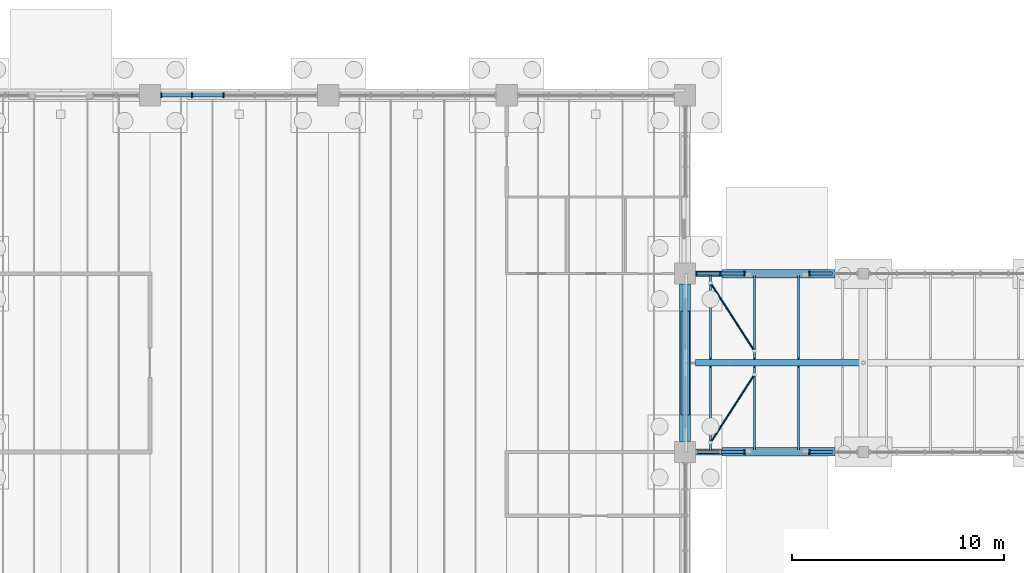
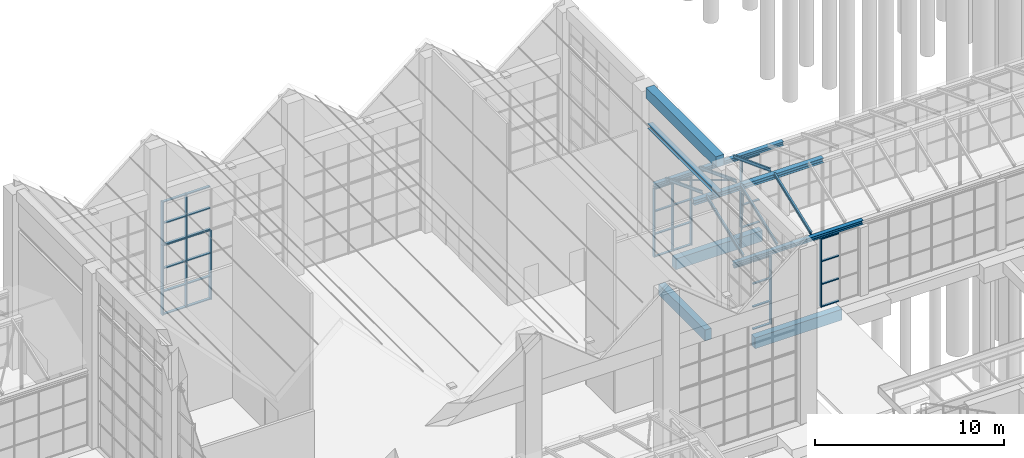
# One storey, part 55 of 138: 48 members, 14 beams, 6 elements without a shape of their own.
"""IFC4 building model written with IfcOpenShell, lengths in metres."""

from ifc_helpers import new_model, si_unit, direction, frame, origin, origin_2d, place, context, subcontext, project, spatial, rectangle, hollow_circle, i_section, extrude, material, material_profile, profile_set, type_object, element, aggregate, save


model = new_model("IFC4")

# Units and contexts
model_context = context("Model", 3, precision=1e-05, world=origin(), true_north=direction((0.0, 1.0)))
body_context = subcontext(model_context, "Body", "Model", "MODEL_VIEW")
ifc_project = project(units=[si_unit("LENGTHUNIT", "METRE"), si_unit("AREAUNIT", "SQUARE_METRE"), si_unit("VOLUMEUNIT", "CUBIC_METRE"), si_unit("PLANEANGLEUNIT", "RADIAN"), si_unit("MASSUNIT", "GRAM", prefix="KILO")], contexts=[model_context])

# Site, building, storey
site_placement = place(None, origin())
site = spatial("IfcSite", under=ifc_project, at=site_placement, CompositionType="ELEMENT")
building_placement = place(site_placement, origin())
building = spatial("IfcBuilding", under=site, at=building_placement, Name="Yavir Park General Hospital", CompositionType="ELEMENT")
storey_placement = place(building_placement, origin())
storey = spatial("IfcBuildingStorey", under=building, at=storey_placement, Name="L00", CompositionType="ELEMENT", Elevation=0.0)

# Members
ifc_material_1 = material(Name="Steel S355", Category="steel")
ifc_material_profile_1 = material_profile(ifc_material_1, hollow_circle(Radius=0.04443359375, WallThickness=0.0048828125, at=origin_2d()), Name="CHS88.9x5")
ifc_profile_set_1 = profile_set([ifc_material_profile_1], Name="Steel S355")
member_type_1 = type_object("IfcMemberType", Name="CHS 88.9x5 roof brace", PredefinedType="BRACE", material=ifc_profile_set_1)
member_1_placement = place(storey_placement, frame((110.39990234375, 50.839111328125, 4.999755859375), z_axis=(0.516017146334, 0.800464760568, 0.304930273635), x_axis=(-0.840493535423, 0.541821572949, 0.0)))
element("IfcMember", 1, at=member_1_placement, inside=storey, type_object=member_type_1, Name="RF:CONC:frame:X:0", PredefinedType="BRACE", context=body_context, shape_type="SweptSolid", body=[
    extrude(hollow_circle(Radius=0.04443359375, WallThickness=0.0048828125, at=origin_2d()), origin(), (0.0, 0.0, 1.0), 4.016845703125),
])
member_2_placement = place(storey_placement, frame((110.39990234375, 58.361083984375, 4.999755859375), z_axis=(0.515992042065, -0.80048659435, 0.304915438756), x_axis=(0.840512269238, 0.541792511262, 0.0)))
element("IfcMember", 2, at=member_2_placement, inside=storey, type_object=member_type_1, Name="RF:CONC:frame:X:2", PredefinedType="BRACE", context=body_context, shape_type="SweptSolid", body=[
    extrude(hollow_circle(Radius=0.04443359375, WallThickness=0.0048828125, at=origin_2d()), origin(), (0.0, 0.0, 1.0), 4.01708984375),
])

# Beams
ifc_material_2 = material(Name="Steel S355", Category="steel")
ifc_material_profile_2 = material_profile(ifc_material_2, i_section(OverallWidth=0.260009765625, OverallDepth=0.25, WebThickness=0.007568359375, FlangeThickness=0.012451171875, FilletRadius=0.02392578125, at=origin_2d()), Name="HEA260")
ifc_profile_set_2 = profile_set([ifc_material_profile_2], Name="Steel S355")
beam_type_1 = type_object("IfcBeamType", Name="HEA 260 eave beam", PredefinedType="BEAM", material=ifc_profile_set_2)
for number, where, z_axis, x_axis, name in (
    (3, (109.699951171875, 50.39990234375, 4.64697265625), (1.0, 0.0, 0.0), (0.0, 1.0, 0.0), "RF:CONC:frame:E:0"),
    (4, (109.699951171875, 58.800048828125, 4.64697265625), (1.0, 0.0, 0.0), (0.0, 1.0, 0.0), "RF:CONC:frame:E:3"),
):
    element("IfcBeam", number, at=place(storey_placement, frame(where, z_axis=z_axis, x_axis=x_axis)), inside=storey, type_object=beam_type_1, Name=name, PredefinedType="BEAM", context=body_context, shape_type="SweptSolid", body=[
        extrude(i_section(OverallWidth=0.260009765625, OverallDepth=0.25, WebThickness=0.007568359375, FlangeThickness=0.012451171875, FilletRadius=0.02392578125, at=origin_2d()), origin(), (0.0, 0.0, 1.0), 7.900146484375),
    ])
ifc_material_3 = material(Name="Steel S355", Category="steel")
ifc_material_profile_3 = material_profile(ifc_material_3, i_section(OverallWidth=0.300048828125, OverallDepth=0.31005859375, WebThickness=0.009033203125, FlangeThickness=0.015380859375, FilletRadius=0.027099609375, at=origin_2d()), Name="HEA320")
ifc_profile_set_3 = profile_set([ifc_material_profile_3], Name="Steel S355")
beam_type_2 = type_object("IfcBeamType", Name="HEA 320 ridge beam", PredefinedType="BEAM", material=ifc_profile_set_3)
beam_1_placement = place(storey_placement, frame((109.699951171875, 54.60009765625, 6.113037109375), z_axis=(1.0, 0.0, 0.0), x_axis=(0.0, 1.0, 0.0)))
element("IfcBeam", 5, at=beam_1_placement, inside=storey, type_object=beam_type_2, Name="RF:CONC:frame:G:0", PredefinedType="BEAM", context=body_context, shape_type="SweptSolid", body=[
    extrude(i_section(OverallWidth=0.300048828125, OverallDepth=0.31005859375, WebThickness=0.009033203125, FlangeThickness=0.015380859375, FilletRadius=0.027099609375, at=origin_2d()), origin(), (0.0, 0.0, 1.0), 7.900146484375),
])
ifc_material_4 = material(Name="Steel S355", Category="steel")
ifc_material_profile_4 = material_profile(ifc_material_4, i_section(OverallWidth=0.300048828125, OverallDepth=0.31005859375, WebThickness=0.009033203125, FlangeThickness=0.015380859375, FilletRadius=0.027099609375, at=origin_2d()), Name="HEA320")
ifc_profile_set_4 = profile_set([ifc_material_profile_4], Name="Steel S355")
beam_type_3 = type_object("IfcBeamType", Name="HEA 320 wind girder", PredefinedType="BEAM", material=ifc_profile_set_4)
beam_2_placement = place(storey_placement, frame((109.199951171875, 50.89990234375, 9.0), z_axis=(0.0, 1.0, 0.0), x_axis=(-1.0, 0.0, 0.0)))
element("IfcBeam", 6, at=beam_2_placement, inside=storey, type_object=beam_type_3, Name="B:HALL:WIND:E1", PredefinedType="BEAM", context=body_context, shape_type="SweptSolid", body=[
    extrude(i_section(OverallWidth=0.300048828125, OverallDepth=0.31005859375, WebThickness=0.009033203125, FlangeThickness=0.015380859375, FilletRadius=0.027099609375, at=origin_2d()), origin(), (0.0, 0.0, 1.0), 7.400146484375),
])
ifc_material_5 = material(Name="Steel S355", Category="steel")
ifc_material_profile_5 = material_profile(ifc_material_5, i_section(OverallWidth=0.10009765625, OverallDepth=0.199951171875, WebThickness=0.005615234375, FlangeThickness=0.008544921875, FilletRadius=0.011962890625, at=origin_2d()), Name="IPE200")
ifc_profile_set_5 = profile_set([ifc_material_profile_5], Name="Steel S355")
beam_type_4 = type_object("IfcBeamType", Name="IPE 200 rafter", PredefinedType="JOIST", material=ifc_profile_set_5)
for number, where, z_axis, x_axis, name in (
    (7, (110.39990234375, 50.489013671875, 4.866455078125), (0.0, 0.934494196525, 0.35597836544), (-1.0, 0.0, 0.0), "RF:CONC:frame:R:0"),
    (8, (110.39990234375, 54.795654296875, 6.35791015625), (0.0, 0.934494196525, -0.35597836544), (-1.0, 0.0, 0.0), "RF:CONC:frame:R:1"),
    (9, (112.47265625, 50.489013671875, 4.866455078125), (0.0, 0.934494196525, 0.35597836544), (-1.0, 0.0, 0.0), "RF:CONC:frame:R:2"),
    (10, (112.47265625, 54.795654296875, 6.35791015625), (0.0, 0.934494196525, -0.35597836544), (-1.0, 0.0, 0.0), "RF:CONC:frame:R:3"),
    (11, (114.54541015625, 50.489013671875, 4.866455078125), (0.0, 0.934494196525, 0.35597836544), (-1.0, 0.0, 0.0), "RF:CONC:frame:R:4"),
    (12, (114.54541015625, 54.795654296875, 6.35791015625), (0.0, 0.934494196525, -0.35597836544), (-1.0, 0.0, 0.0), "RF:CONC:frame:R:5"),
):
    element("IfcBeam", number, at=place(storey_placement, frame(where, z_axis=z_axis, x_axis=x_axis)), inside=storey, type_object=beam_type_4, Name=name, PredefinedType="JOIST", context=body_context, shape_type="SweptSolid", body=[
        extrude(i_section(OverallWidth=0.10009765625, OverallDepth=0.199951171875, WebThickness=0.005615234375, FlangeThickness=0.008544921875, FilletRadius=0.011962890625, at=origin_2d()), origin(), (0.0, 0.0, 1.0), 4.189697265625),
    ])

# Curtain wall, members
ifc_material_6 = material(Name="Aluminium curtain wall frame with insulated glazing", Category="aluminium")
curtain_wall_type_1 = type_object("IfcCurtainWallType", Name="Main hall glazing, lower band, 4500 high, 1400 module", PredefinedType="NOTDEFINED", material=ifc_material_6)
curtain_wall_1_placement = place(storey_placement, origin())
curtain_wall_1 = element("IfcCurtainWall", 13, at=curtain_wall_1_placement, inside=storey, type_object=curtain_wall_type_1, Name="CW33 L00-027", PredefinedType="NOTDEFINED")
ifc_material_7 = material(Name="Aluminium", Category="aluminium")
ifc_material_profile_6 = material_profile(ifc_material_7, rectangle(XDim=0.239990234375, YDim=0.06005859375, at=origin_2d()), Name="AL 60x240")
ifc_profile_set_6 = profile_set([ifc_material_profile_6], Name="Aluminium")
member_type_2 = type_object("IfcMemberType", Name="Main hall glazing, lower band, 4500 high mullion 60 x 240", PredefinedType="MULLION", material=ifc_profile_set_6)
member_3_placement = place(storey_placement, frame((84.530029296875, 67.199951171875, 0.0), z_axis=(0.0, 0.0, 1.0), x_axis=(0.0, 1.0, 0.0)))
member_3 = element("IfcMember", 14, at=member_3_placement, type_object=member_type_2, Name="CW33 mullion 1", PredefinedType="MULLION", context=body_context, shape_type="SweptSolid", body=[
    extrude(rectangle(XDim=0.239990234375, YDim=0.06005859375, at=origin_2d()), origin(), (0.0, 0.0, 1.0), 4.5),
])
member_4_placement = place(storey_placement, frame((85.97998046875, 67.199951171875, 0.0), z_axis=(0.0, 0.0, 1.0), x_axis=(0.0, 1.0, 0.0)))
member_4 = element("IfcMember", 15, at=member_4_placement, type_object=member_type_2, Name="CW33 mullion 2", PredefinedType="MULLION", context=body_context, shape_type="SweptSolid", body=[
    extrude(rectangle(XDim=0.239990234375, YDim=0.06005859375, at=origin_2d()), origin(), (0.0, 0.0, 1.0), 4.5),
])
member_5_placement = place(storey_placement, frame((87.4599609375, 67.199951171875, 0.0), z_axis=(0.0, 0.0, 1.0), x_axis=(0.0, 1.0, 0.0)))
member_5 = element("IfcMember", 16, at=member_5_placement, type_object=member_type_2, Name="CW33 mullion 3", PredefinedType="MULLION", context=body_context, shape_type="SweptSolid", body=[
    extrude(rectangle(XDim=0.239990234375, YDim=0.06005859375, at=origin_2d()), origin(), (0.0, 0.0, 1.0), 4.5),
])
ifc_material_8 = material(Name="Aluminium", Category="aluminium")
ifc_material_profile_7 = material_profile(ifc_material_8, rectangle(XDim=0.159912109375, YDim=0.06005859375, at=origin_2d()), Name="AL 160x60")
ifc_profile_set_7 = profile_set([ifc_material_profile_7], Name="Aluminium")
member_type_3 = type_object("IfcMemberType", Name="Main hall glazing, lower band, 4500 high transom 60 x 160", PredefinedType="MULLION", material=ifc_profile_set_7)
member_6_placement = place(storey_placement, frame((84.56005859375, 67.199951171875, 0.030029296875), z_axis=(1.0, 0.0, 0.0), x_axis=(0.0, 1.0, 0.0)))
member_6 = element("IfcMember", 17, at=member_6_placement, type_object=member_type_3, Name="CW33 transom 1.1", PredefinedType="MULLION", context=body_context, shape_type="SweptSolid", body=[
    extrude(rectangle(XDim=0.159912109375, YDim=0.06005859375, at=origin_2d()), origin(), (0.0, 0.0, 1.0), 1.389892578125),
])
member_7_placement = place(storey_placement, frame((84.56005859375, 67.199951171875, 1.5), z_axis=(1.0, 0.0, 0.0), x_axis=(0.0, 1.0, 0.0)))
member_7 = element("IfcMember", 18, at=member_7_placement, type_object=member_type_3, Name="CW33 transom 1.2", PredefinedType="MULLION", context=body_context, shape_type="SweptSolid", body=[
    extrude(rectangle(XDim=0.159912109375, YDim=0.06005859375, at=origin_2d()), origin(), (0.0, 0.0, 1.0), 1.389892578125),
])
member_8_placement = place(storey_placement, frame((84.56005859375, 67.199951171875, 3.0), z_axis=(1.0, 0.0, 0.0), x_axis=(0.0, 1.0, 0.0)))
member_8 = element("IfcMember", 19, at=member_8_placement, type_object=member_type_3, Name="CW33 transom 1.3", PredefinedType="MULLION", context=body_context, shape_type="SweptSolid", body=[
    extrude(rectangle(XDim=0.159912109375, YDim=0.06005859375, at=origin_2d()), origin(), (0.0, 0.0, 1.0), 1.389892578125),
])
member_9_placement = place(storey_placement, frame((84.56005859375, 67.199951171875, 4.469970703125), z_axis=(1.0, 0.0, 0.0), x_axis=(0.0, 1.0, 0.0)))
member_9 = element("IfcMember", 20, at=member_9_placement, type_object=member_type_3, Name="CW33 transom 1.4", PredefinedType="MULLION", context=body_context, shape_type="SweptSolid", body=[
    extrude(rectangle(XDim=0.159912109375, YDim=0.06005859375, at=origin_2d()), origin(), (0.0, 0.0, 1.0), 1.389892578125),
])
member_10_placement = place(storey_placement, frame((86.010009765625, 67.199951171875, 0.030029296875), z_axis=(1.0, 0.0, 0.0), x_axis=(0.0, 1.0, 0.0)))
member_10 = element("IfcMember", 21, at=member_10_placement, type_object=member_type_3, Name="CW33 transom 2.1", PredefinedType="MULLION", context=body_context, shape_type="SweptSolid", body=[
    extrude(rectangle(XDim=0.159912109375, YDim=0.06005859375, at=origin_2d()), origin(), (0.0, 0.0, 1.0), 1.419921875),
])
member_11_placement = place(storey_placement, frame((86.010009765625, 67.199951171875, 1.5), z_axis=(1.0, 0.0, 0.0), x_axis=(0.0, 1.0, 0.0)))
member_11 = element("IfcMember", 22, at=member_11_placement, type_object=member_type_3, Name="CW33 transom 2.2", PredefinedType="MULLION", context=body_context, shape_type="SweptSolid", body=[
    extrude(rectangle(XDim=0.159912109375, YDim=0.06005859375, at=origin_2d()), origin(), (0.0, 0.0, 1.0), 1.419921875),
])
member_12_placement = place(storey_placement, frame((86.010009765625, 67.199951171875, 3.0), z_axis=(1.0, 0.0, 0.0), x_axis=(0.0, 1.0, 0.0)))
member_12 = element("IfcMember", 23, at=member_12_placement, type_object=member_type_3, Name="CW33 transom 2.3", PredefinedType="MULLION", context=body_context, shape_type="SweptSolid", body=[
    extrude(rectangle(XDim=0.159912109375, YDim=0.06005859375, at=origin_2d()), origin(), (0.0, 0.0, 1.0), 1.419921875),
])
member_13_placement = place(storey_placement, frame((86.010009765625, 67.199951171875, 4.469970703125), z_axis=(1.0, 0.0, 0.0), x_axis=(0.0, 1.0, 0.0)))
member_13 = element("IfcMember", 24, at=member_13_placement, type_object=member_type_3, Name="CW33 transom 2.4", PredefinedType="MULLION", context=body_context, shape_type="SweptSolid", body=[
    extrude(rectangle(XDim=0.159912109375, YDim=0.06005859375, at=origin_2d()), origin(), (0.0, 0.0, 1.0), 1.419921875),
])
aggregate(curtain_wall_1, [member_3, member_4, member_5, member_6, member_7, member_8, member_9, member_10, member_11, member_12, member_13])

ifc_material_9 = material(Name="Aluminium curtain wall frame with insulated glazing", Category="aluminium")
curtain_wall_type_2 = type_object("IfcCurtainWallType", Name="Main hall glazing, upper band, 2817 high, 1400 module", PredefinedType="NOTDEFINED", material=ifc_material_9)
curtain_wall_2_placement = place(storey_placement, origin())
curtain_wall_2 = element("IfcCurtainWall", 25, at=curtain_wall_2_placement, inside=storey, type_object=curtain_wall_type_2, Name="CW34 L00-028", PredefinedType="NOTDEFINED")
ifc_material_10 = material(Name="Aluminium", Category="aluminium")
ifc_material_profile_8 = material_profile(ifc_material_10, rectangle(XDim=0.239990234375, YDim=0.06005859375, at=origin_2d()), Name="AL 60x240")
ifc_profile_set_8 = profile_set([ifc_material_profile_8], Name="Aluminium")
member_type_4 = type_object("IfcMemberType", Name="Main hall glazing, upper band, 2817 high mullion 60 x 240", PredefinedType="MULLION", material=ifc_profile_set_8)
member_14_placement = place(storey_placement, frame((84.530029296875, 67.199951171875, 4.5), z_axis=(0.0, 0.0, 1.0), x_axis=(0.0, 1.0, 0.0)))
member_14 = element("IfcMember", 26, at=member_14_placement, type_object=member_type_4, Name="CW34 mullion 1", PredefinedType="MULLION", context=body_context, shape_type="SweptSolid", body=[
    extrude(rectangle(XDim=0.239990234375, YDim=0.06005859375, at=origin_2d()), origin(), (0.0, 0.0, 1.0), 2.81689453125),
])
member_15_placement = place(storey_placement, frame((85.97998046875, 67.199951171875, 4.5), z_axis=(0.0, 0.0, 1.0), x_axis=(0.0, 1.0, 0.0)))
member_15 = element("IfcMember", 27, at=member_15_placement, type_object=member_type_4, Name="CW34 mullion 2", PredefinedType="MULLION", context=body_context, shape_type="SweptSolid", body=[
    extrude(rectangle(XDim=0.239990234375, YDim=0.06005859375, at=origin_2d()), origin(), (0.0, 0.0, 1.0), 2.81689453125),
])
ifc_material_11 = material(Name="Aluminium", Category="aluminium")
ifc_material_profile_9 = material_profile(ifc_material_11, rectangle(XDim=0.159912109375, YDim=0.06005859375, at=origin_2d()), Name="AL 160x60")
ifc_profile_set_9 = profile_set([ifc_material_profile_9], Name="Aluminium")
member_type_5 = type_object("IfcMemberType", Name="Main hall glazing, upper band, 2817 high transom 60 x 160", PredefinedType="MULLION", material=ifc_profile_set_9)
member_16_placement = place(storey_placement, frame((84.56005859375, 67.199951171875, 4.530029296875), z_axis=(1.0, 0.0, 0.0), x_axis=(0.0, 1.0, 0.0)))
member_16 = element("IfcMember", 28, at=member_16_placement, type_object=member_type_5, Name="CW34 transom 1.1", PredefinedType="MULLION", context=body_context, shape_type="SweptSolid", body=[
    extrude(rectangle(XDim=0.159912109375, YDim=0.06005859375, at=origin_2d()), origin(), (0.0, 0.0, 1.0), 1.389892578125),
])
member_17_placement = place(storey_placement, frame((84.56005859375, 67.199951171875, 5.908447265625), z_axis=(1.0, 0.0, 0.0), x_axis=(0.0, 1.0, 0.0)))
member_17 = element("IfcMember", 29, at=member_17_placement, type_object=member_type_5, Name="CW34 transom 1.2", PredefinedType="MULLION", context=body_context, shape_type="SweptSolid", body=[
    extrude(rectangle(XDim=0.159912109375, YDim=0.06005859375, at=origin_2d()), origin(), (0.0, 0.0, 1.0), 1.389892578125),
])
member_18_placement = place(storey_placement, frame((84.56005859375, 67.199951171875, 7.287109375), z_axis=(1.0, 0.0, 0.0), x_axis=(0.0, 1.0, 0.0)))
member_18 = element("IfcMember", 30, at=member_18_placement, type_object=member_type_5, Name="CW34 transom 1.3", PredefinedType="MULLION", context=body_context, shape_type="SweptSolid", body=[
    extrude(rectangle(XDim=0.159912109375, YDim=0.06005859375, at=origin_2d()), origin(), (0.0, 0.0, 1.0), 1.389892578125),
])
member_19_placement = place(storey_placement, frame((86.010009765625, 67.199951171875, 4.530029296875), z_axis=(1.0, 0.0, 0.0), x_axis=(0.0, 1.0, 0.0)))
member_19 = element("IfcMember", 31, at=member_19_placement, type_object=member_type_5, Name="CW34 transom 2.1", PredefinedType="MULLION", context=body_context, shape_type="SweptSolid", body=[
    extrude(rectangle(XDim=0.159912109375, YDim=0.06005859375, at=origin_2d()), origin(), (0.0, 0.0, 1.0), 1.419921875),
])
member_20_placement = place(storey_placement, frame((86.010009765625, 67.199951171875, 5.908447265625), z_axis=(1.0, 0.0, 0.0), x_axis=(0.0, 1.0, 0.0)))
member_20 = element("IfcMember", 32, at=member_20_placement, type_object=member_type_5, Name="CW34 transom 2.2", PredefinedType="MULLION", context=body_context, shape_type="SweptSolid", body=[
    extrude(rectangle(XDim=0.159912109375, YDim=0.06005859375, at=origin_2d()), origin(), (0.0, 0.0, 1.0), 1.419921875),
])
member_21_placement = place(storey_placement, frame((86.010009765625, 67.199951171875, 7.287109375), z_axis=(1.0, 0.0, 0.0), x_axis=(0.0, 1.0, 0.0)))
member_21 = element("IfcMember", 33, at=member_21_placement, type_object=member_type_5, Name="CW34 transom 2.3", PredefinedType="MULLION", context=body_context, shape_type="SweptSolid", body=[
    extrude(rectangle(XDim=0.159912109375, YDim=0.06005859375, at=origin_2d()), origin(), (0.0, 0.0, 1.0), 1.419921875),
])
aggregate(curtain_wall_2, [member_14, member_15, member_16, member_17, member_18, member_19, member_20, member_21])

# Beams
ifc_material_12 = material(Name="Concrete C35/45", Category="concrete")
ifc_material_profile_10 = material_profile(ifc_material_12, rectangle(XDim=0.39990234375, YDim=0.699951171875, at=origin_2d()), Name="RC400x700")
ifc_profile_set_10 = profile_set([ifc_material_profile_10], Name="Concrete C35/45")
beam_type_5 = type_object("IfcBeamType", Name="RC BEAM 400x700 ground beam", PredefinedType="BEAM", material=ifc_profile_set_10)
for number, where, z_axis, x_axis, name in (
    (34, (110.949951171875, 50.39990234375, -0.800048828125), (1.0, 0.0, 0.0), (0.0, 1.0, 0.0), "B:GND:L00:14G:L00:15G"),
    (35, (110.949951171875, 58.800048828125, -0.800048828125), (1.0, 0.0, 0.0), (0.0, 1.0, 0.0), "B:GND:L00:14H:L00:15H"),
):
    element("IfcBeam", number, at=place(storey_placement, frame(where, z_axis=z_axis, x_axis=x_axis)), inside=storey, type_object=beam_type_5, Name=name, PredefinedType="BEAM", context=body_context, shape_type="SweptSolid", body=[
        extrude(rectangle(XDim=0.39990234375, YDim=0.699951171875, at=origin_2d()), origin(), (0.0, 0.0, 1.0), 5.300048828125),
    ])
beam_3_placement = place(storey_placement, frame((109.199951171875, 52.14990234375, -0.800048828125), z_axis=(0.0, 1.0, 0.0), x_axis=(-1.0, 0.0, 0.0)))
element("IfcBeam", 36, at=beam_3_placement, inside=storey, type_object=beam_type_5, Name="B:GND:L00:14G:L00:14H", PredefinedType="BEAM", context=body_context, shape_type="SweptSolid", body=[
    extrude(rectangle(XDim=0.39990234375, YDim=0.699951171875, at=origin_2d()), origin(), (0.0, 0.0, 1.0), 4.900146484375),
])
ifc_material_13 = material(Name="Concrete C35/45", Category="concrete")
ifc_material_profile_11 = material_profile(ifc_material_13, rectangle(XDim=0.5, YDim=0.699951171875, at=origin_2d()), Name="RC500x700")
ifc_profile_set_11 = profile_set([ifc_material_profile_11], Name="Concrete C35/45")
beam_type_6 = type_object("IfcBeamType", Name="RC BEAM 500x700 hall edge girder", PredefinedType="BEAM", material=ifc_profile_set_11)
beam_4_placement = place(storey_placement, frame((109.199951171875, 50.89990234375, 11.1650390625), z_axis=(0.0, 1.0, 0.0), x_axis=(-1.0, 0.0, 0.0)))
element("IfcBeam", 37, at=beam_4_placement, inside=storey, type_object=beam_type_6, Name="B:HALL:EDGE:E1", PredefinedType="BEAM", context=body_context, shape_type="SweptSolid", body=[
    extrude(rectangle(XDim=0.5, YDim=0.699951171875, at=origin_2d()), origin(), (0.0, 0.0, 1.0), 7.400146484375),
])

# Curtain wall, member
ifc_material_14 = material(Name="Aluminium curtain wall frame with insulated glazing", Category="aluminium")
curtain_wall_type_3 = type_object("IfcCurtainWallType", Name="Winter-garden concourse glazing, 4425 high, 1400 module", PredefinedType="NOTDEFINED", material=ifc_material_14)
curtain_wall_3_placement = place(storey_placement, origin())
curtain_wall_3 = element("IfcCurtainWall", 38, at=curtain_wall_3_placement, inside=storey, type_object=curtain_wall_type_3, Name="CW37 L00-013", PredefinedType="NOTDEFINED")
ifc_material_15 = material(Name="Aluminium", Category="aluminium")
ifc_material_profile_12 = material_profile(ifc_material_15, rectangle(XDim=0.199951171875, YDim=0.06005859375, at=origin_2d()), Name="AL 60x200")
ifc_profile_set_12 = profile_set([ifc_material_profile_12], Name="Aluminium")
member_type_6 = type_object("IfcMemberType", Name="Winter-garden concourse glazing, 4425 high mullion 60 x 200", PredefinedType="MULLION", material=ifc_profile_set_12)
member_22_placement = place(storey_placement, frame((111.9951171875, 50.39990234375, 0.0), z_axis=(0.0, 0.0, 1.0), x_axis=(0.0, 1.0, 0.0)))
member_22 = element("IfcMember", 39, at=member_22_placement, type_object=member_type_6, Name="CW37 mullion 3", PredefinedType="MULLION", context=body_context, shape_type="SweptSolid", body=[
    extrude(rectangle(XDim=0.199951171875, YDim=0.06005859375, at=origin_2d()), origin(), (0.0, 0.0, 1.0), 4.425048828125),
])

curtain_wall_4_placement = place(storey_placement, origin())
curtain_wall_4 = element("IfcCurtainWall", 40, at=curtain_wall_4_placement, inside=storey, type_object=curtain_wall_type_3, Name="CW37 L00-014", PredefinedType="NOTDEFINED")
member_23_placement = place(storey_placement, frame((115.054931640625, 50.39990234375, 0.0), z_axis=(0.0, 0.0, 1.0), x_axis=(0.0, 1.0, 0.0)))
member_23 = element("IfcMember", 41, at=member_23_placement, type_object=member_type_6, Name="CW37 mullion 1", PredefinedType="MULLION", context=body_context, shape_type="SweptSolid", body=[
    extrude(rectangle(XDim=0.199951171875, YDim=0.06005859375, at=origin_2d()), origin(), (0.0, 0.0, 1.0), 4.425048828125),
])

# Curtain wall, members
curtain_wall_5_placement = place(storey_placement, origin())
curtain_wall_5 = element("IfcCurtainWall", 42, at=curtain_wall_5_placement, inside=storey, type_object=curtain_wall_type_3, Name="CW37 L00-018", PredefinedType="NOTDEFINED")
member_24_placement = place(storey_placement, frame((109.72998046875, 58.800048828125, 0.0), z_axis=(0.0, 0.0, 1.0), x_axis=(0.0, 1.0, 0.0)))
member_24 = element("IfcMember", 43, at=member_24_placement, type_object=member_type_6, Name="CW37 mullion 1", PredefinedType="MULLION", context=body_context, shape_type="SweptSolid", body=[
    extrude(rectangle(XDim=0.199951171875, YDim=0.06005859375, at=origin_2d()), origin(), (0.0, 0.0, 1.0), 4.425048828125),
])
member_25_placement = place(storey_placement, frame((110.862548828125, 58.800048828125, 0.0), z_axis=(0.0, 0.0, 1.0), x_axis=(0.0, 1.0, 0.0)))
member_25 = element("IfcMember", 44, at=member_25_placement, type_object=member_type_6, Name="CW37 mullion 2", PredefinedType="MULLION", context=body_context, shape_type="SweptSolid", body=[
    extrude(rectangle(XDim=0.199951171875, YDim=0.06005859375, at=origin_2d()), origin(), (0.0, 0.0, 1.0), 4.425048828125),
])
member_26_placement = place(storey_placement, frame((111.9951171875, 58.800048828125, 0.0), z_axis=(0.0, 0.0, 1.0), x_axis=(0.0, 1.0, 0.0)))
member_26 = element("IfcMember", 45, at=member_26_placement, type_object=member_type_6, Name="CW37 mullion 3", PredefinedType="MULLION", context=body_context, shape_type="SweptSolid", body=[
    extrude(rectangle(XDim=0.199951171875, YDim=0.06005859375, at=origin_2d()), origin(), (0.0, 0.0, 1.0), 4.425048828125),
])

# Curtain wall, member
curtain_wall_6_placement = place(storey_placement, origin())
curtain_wall_6 = element("IfcCurtainWall", 46, at=curtain_wall_6_placement, inside=storey, type_object=curtain_wall_type_3, Name="CW37 L00-019", PredefinedType="NOTDEFINED")
member_27_placement = place(storey_placement, frame((115.054931640625, 58.800048828125, 0.0), z_axis=(0.0, 0.0, 1.0), x_axis=(0.0, 1.0, 0.0)))
member_27 = element("IfcMember", 47, at=member_27_placement, type_object=member_type_6, Name="CW37 mullion 1", PredefinedType="MULLION", context=body_context, shape_type="SweptSolid", body=[
    extrude(rectangle(XDim=0.199951171875, YDim=0.06005859375, at=origin_2d()), origin(), (0.0, 0.0, 1.0), 4.425048828125),
])

# Member
ifc_material_16 = material(Name="Aluminium", Category="aluminium")
ifc_material_profile_13 = material_profile(ifc_material_16, rectangle(XDim=0.139892578125, YDim=0.06005859375, at=origin_2d()), Name="AL 140x60")
ifc_profile_set_13 = profile_set([ifc_material_profile_13], Name="Aluminium")
member_type_7 = type_object("IfcMemberType", Name="Winter-garden concourse glazing, 4425 high transom 60 x 140", PredefinedType="MULLION", material=ifc_profile_set_13)
member_28_placement = place(storey_placement, frame((109.760009765625, 50.39990234375, 4.39501953125), z_axis=(1.0, 0.0, 0.0), x_axis=(0.0, 1.0, 0.0)))
member_28 = element("IfcMember", 48, at=member_28_placement, type_object=member_type_7, Name="CW37 transom 1.4", PredefinedType="MULLION", context=body_context, shape_type="SweptSolid", body=[
    extrude(rectangle(XDim=0.139892578125, YDim=0.06005859375, at=origin_2d()), origin(), (0.0, 0.0, 1.0), 1.072509765625),
])

member_29_placement = place(storey_placement, frame((110.892578125, 50.39990234375, 0.030029296875), z_axis=(1.0, 0.0, 0.0), x_axis=(0.0, 1.0, 0.0)))
member_29 = element("IfcMember", 49, at=member_29_placement, type_object=member_type_7, Name="CW37 transom 2.1", PredefinedType="MULLION", context=body_context, shape_type="SweptSolid", body=[
    extrude(rectangle(XDim=0.139892578125, YDim=0.06005859375, at=origin_2d()), origin(), (0.0, 0.0, 1.0), 1.072509765625),
])

member_30_placement = place(storey_placement, frame((110.892578125, 50.39990234375, 1.47509765625), z_axis=(1.0, 0.0, 0.0), x_axis=(0.0, 1.0, 0.0)))
member_30 = element("IfcMember", 50, at=member_30_placement, type_object=member_type_7, Name="CW37 transom 2.2", PredefinedType="MULLION", context=body_context, shape_type="SweptSolid", body=[
    extrude(rectangle(XDim=0.139892578125, YDim=0.06005859375, at=origin_2d()), origin(), (0.0, 0.0, 1.0), 1.072509765625),
])

member_31_placement = place(storey_placement, frame((110.892578125, 50.39990234375, 2.949951171875), z_axis=(1.0, 0.0, 0.0), x_axis=(0.0, 1.0, 0.0)))
member_31 = element("IfcMember", 51, at=member_31_placement, type_object=member_type_7, Name="CW37 transom 2.3", PredefinedType="MULLION", context=body_context, shape_type="SweptSolid", body=[
    extrude(rectangle(XDim=0.139892578125, YDim=0.06005859375, at=origin_2d()), origin(), (0.0, 0.0, 1.0), 1.072509765625),
])

member_32_placement = place(storey_placement, frame((110.892578125, 50.39990234375, 4.39501953125), z_axis=(1.0, 0.0, 0.0), x_axis=(0.0, 1.0, 0.0)))
member_32 = element("IfcMember", 52, at=member_32_placement, type_object=member_type_7, Name="CW37 transom 2.4", PredefinedType="MULLION", context=body_context, shape_type="SweptSolid", body=[
    extrude(rectangle(XDim=0.139892578125, YDim=0.06005859375, at=origin_2d()), origin(), (0.0, 0.0, 1.0), 1.072509765625),
])

aggregate(curtain_wall_3, [member_22, member_28, member_29, member_30, member_31, member_32])

member_33_placement = place(storey_placement, frame((115.0849609375, 50.39990234375, 0.030029296875), z_axis=(1.0, 0.0, 0.0), x_axis=(0.0, 1.0, 0.0)))
member_33 = element("IfcMember", 53, at=member_33_placement, type_object=member_type_7, Name="CW37 transom 1.1", PredefinedType="MULLION", context=body_context, shape_type="SweptSolid", body=[
    extrude(rectangle(XDim=0.139892578125, YDim=0.06005859375, at=origin_2d()), origin(), (0.0, 0.0, 1.0), 1.072509765625),
])

member_34_placement = place(storey_placement, frame((115.0849609375, 50.39990234375, 1.47509765625), z_axis=(1.0, 0.0, 0.0), x_axis=(0.0, 1.0, 0.0)))
member_34 = element("IfcMember", 54, at=member_34_placement, type_object=member_type_7, Name="CW37 transom 1.2", PredefinedType="MULLION", context=body_context, shape_type="SweptSolid", body=[
    extrude(rectangle(XDim=0.139892578125, YDim=0.06005859375, at=origin_2d()), origin(), (0.0, 0.0, 1.0), 1.072509765625),
])

member_35_placement = place(storey_placement, frame((115.0849609375, 50.39990234375, 2.949951171875), z_axis=(1.0, 0.0, 0.0), x_axis=(0.0, 1.0, 0.0)))
member_35 = element("IfcMember", 55, at=member_35_placement, type_object=member_type_7, Name="CW37 transom 1.3", PredefinedType="MULLION", context=body_context, shape_type="SweptSolid", body=[
    extrude(rectangle(XDim=0.139892578125, YDim=0.06005859375, at=origin_2d()), origin(), (0.0, 0.0, 1.0), 1.072509765625),
])

member_36_placement = place(storey_placement, frame((115.0849609375, 50.39990234375, 4.39501953125), z_axis=(1.0, 0.0, 0.0), x_axis=(0.0, 1.0, 0.0)))
member_36 = element("IfcMember", 56, at=member_36_placement, type_object=member_type_7, Name="CW37 transom 1.4", PredefinedType="MULLION", context=body_context, shape_type="SweptSolid", body=[
    extrude(rectangle(XDim=0.139892578125, YDim=0.06005859375, at=origin_2d()), origin(), (0.0, 0.0, 1.0), 1.072509765625),
])

aggregate(curtain_wall_4, [member_23, member_33, member_34, member_35, member_36])

member_37_placement = place(storey_placement, frame((109.760009765625, 58.800048828125, 0.030029296875), z_axis=(1.0, 0.0, 0.0), x_axis=(0.0, 1.0, 0.0)))
member_37 = element("IfcMember", 57, at=member_37_placement, type_object=member_type_7, Name="CW37 transom 1.1", PredefinedType="MULLION", context=body_context, shape_type="SweptSolid", body=[
    extrude(rectangle(XDim=0.139892578125, YDim=0.06005859375, at=origin_2d()), origin(), (0.0, 0.0, 1.0), 1.072509765625),
])

member_38_placement = place(storey_placement, frame((109.760009765625, 58.800048828125, 1.47509765625), z_axis=(1.0, 0.0, 0.0), x_axis=(0.0, 1.0, 0.0)))
member_38 = element("IfcMember", 58, at=member_38_placement, type_object=member_type_7, Name="CW37 transom 1.2", PredefinedType="MULLION", context=body_context, shape_type="SweptSolid", body=[
    extrude(rectangle(XDim=0.139892578125, YDim=0.06005859375, at=origin_2d()), origin(), (0.0, 0.0, 1.0), 1.072509765625),
])

member_39_placement = place(storey_placement, frame((109.760009765625, 58.800048828125, 2.949951171875), z_axis=(1.0, 0.0, 0.0), x_axis=(0.0, 1.0, 0.0)))
member_39 = element("IfcMember", 59, at=member_39_placement, type_object=member_type_7, Name="CW37 transom 1.3", PredefinedType="MULLION", context=body_context, shape_type="SweptSolid", body=[
    extrude(rectangle(XDim=0.139892578125, YDim=0.06005859375, at=origin_2d()), origin(), (0.0, 0.0, 1.0), 1.072509765625),
])

member_40_placement = place(storey_placement, frame((109.760009765625, 58.800048828125, 4.39501953125), z_axis=(1.0, 0.0, 0.0), x_axis=(0.0, 1.0, 0.0)))
member_40 = element("IfcMember", 60, at=member_40_placement, type_object=member_type_7, Name="CW37 transom 1.4", PredefinedType="MULLION", context=body_context, shape_type="SweptSolid", body=[
    extrude(rectangle(XDim=0.139892578125, YDim=0.06005859375, at=origin_2d()), origin(), (0.0, 0.0, 1.0), 1.072509765625),
])

member_41_placement = place(storey_placement, frame((110.892578125, 58.800048828125, 0.030029296875), z_axis=(1.0, 0.0, 0.0), x_axis=(0.0, 1.0, 0.0)))
member_41 = element("IfcMember", 61, at=member_41_placement, type_object=member_type_7, Name="CW37 transom 2.1", PredefinedType="MULLION", context=body_context, shape_type="SweptSolid", body=[
    extrude(rectangle(XDim=0.139892578125, YDim=0.06005859375, at=origin_2d()), origin(), (0.0, 0.0, 1.0), 1.072509765625),
])

member_42_placement = place(storey_placement, frame((110.892578125, 58.800048828125, 1.47509765625), z_axis=(1.0, 0.0, 0.0), x_axis=(0.0, 1.0, 0.0)))
member_42 = element("IfcMember", 62, at=member_42_placement, type_object=member_type_7, Name="CW37 transom 2.2", PredefinedType="MULLION", context=body_context, shape_type="SweptSolid", body=[
    extrude(rectangle(XDim=0.139892578125, YDim=0.06005859375, at=origin_2d()), origin(), (0.0, 0.0, 1.0), 1.072509765625),
])

member_43_placement = place(storey_placement, frame((110.892578125, 58.800048828125, 2.949951171875), z_axis=(1.0, 0.0, 0.0), x_axis=(0.0, 1.0, 0.0)))
member_43 = element("IfcMember", 63, at=member_43_placement, type_object=member_type_7, Name="CW37 transom 2.3", PredefinedType="MULLION", context=body_context, shape_type="SweptSolid", body=[
    extrude(rectangle(XDim=0.139892578125, YDim=0.06005859375, at=origin_2d()), origin(), (0.0, 0.0, 1.0), 1.072509765625),
])

member_44_placement = place(storey_placement, frame((110.892578125, 58.800048828125, 4.39501953125), z_axis=(1.0, 0.0, 0.0), x_axis=(0.0, 1.0, 0.0)))
member_44 = element("IfcMember", 64, at=member_44_placement, type_object=member_type_7, Name="CW37 transom 2.4", PredefinedType="MULLION", context=body_context, shape_type="SweptSolid", body=[
    extrude(rectangle(XDim=0.139892578125, YDim=0.06005859375, at=origin_2d()), origin(), (0.0, 0.0, 1.0), 1.072509765625),
])

aggregate(curtain_wall_5, [member_24, member_25, member_26, member_37, member_38, member_39, member_40, member_41, member_42, member_43, member_44])

member_45_placement = place(storey_placement, frame((115.0849609375, 58.800048828125, 0.030029296875), z_axis=(1.0, 0.0, 0.0), x_axis=(0.0, 1.0, 0.0)))
member_45 = element("IfcMember", 65, at=member_45_placement, type_object=member_type_7, Name="CW37 transom 1.1", PredefinedType="MULLION", context=body_context, shape_type="SweptSolid", body=[
    extrude(rectangle(XDim=0.139892578125, YDim=0.06005859375, at=origin_2d()), origin(), (0.0, 0.0, 1.0), 1.072509765625),
])

member_46_placement = place(storey_placement, frame((115.0849609375, 58.800048828125, 1.47509765625), z_axis=(1.0, 0.0, 0.0), x_axis=(0.0, 1.0, 0.0)))
member_46 = element("IfcMember", 66, at=member_46_placement, type_object=member_type_7, Name="CW37 transom 1.2", PredefinedType="MULLION", context=body_context, shape_type="SweptSolid", body=[
    extrude(rectangle(XDim=0.139892578125, YDim=0.06005859375, at=origin_2d()), origin(), (0.0, 0.0, 1.0), 1.072509765625),
])

member_47_placement = place(storey_placement, frame((115.0849609375, 58.800048828125, 2.949951171875), z_axis=(1.0, 0.0, 0.0), x_axis=(0.0, 1.0, 0.0)))
member_47 = element("IfcMember", 67, at=member_47_placement, type_object=member_type_7, Name="CW37 transom 1.3", PredefinedType="MULLION", context=body_context, shape_type="SweptSolid", body=[
    extrude(rectangle(XDim=0.139892578125, YDim=0.06005859375, at=origin_2d()), origin(), (0.0, 0.0, 1.0), 1.072509765625),
])

member_48_placement = place(storey_placement, frame((115.0849609375, 58.800048828125, 4.39501953125), z_axis=(1.0, 0.0, 0.0), x_axis=(0.0, 1.0, 0.0)))
member_48 = element("IfcMember", 68, at=member_48_placement, type_object=member_type_7, Name="CW37 transom 1.4", PredefinedType="MULLION", context=body_context, shape_type="SweptSolid", body=[
    extrude(rectangle(XDim=0.139892578125, YDim=0.06005859375, at=origin_2d()), origin(), (0.0, 0.0, 1.0), 1.072509765625),
])

aggregate(curtain_wall_6, [member_27, member_45, member_46, member_47, member_48])

save(model, "model.ifc")
